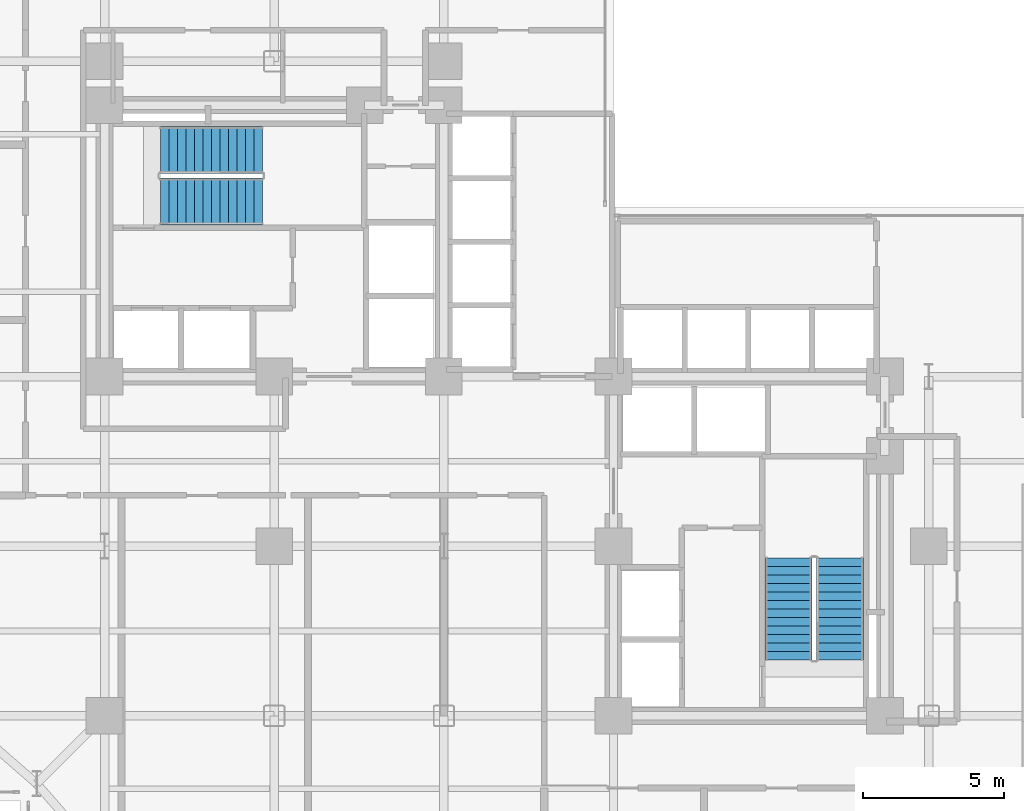
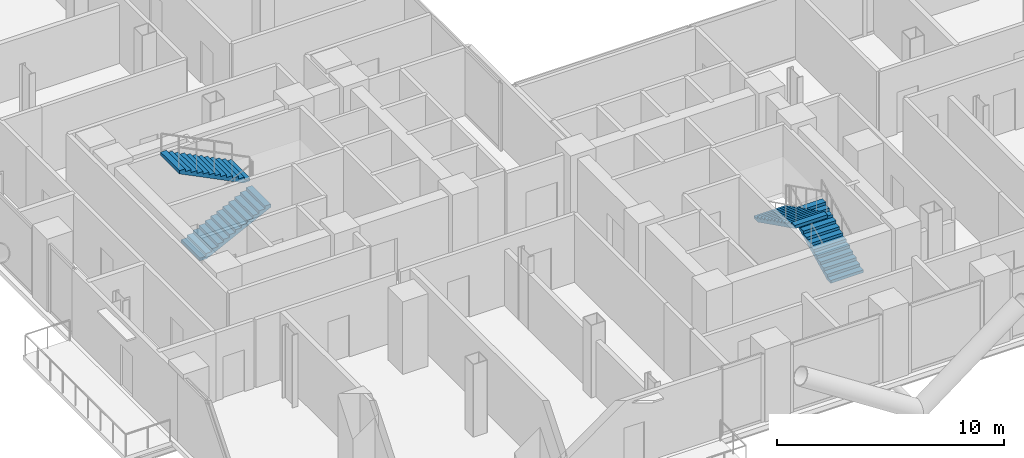
# One storey, part 23 of 25: 4 stair flights, 2 elements without a shape of their own.
"""IFC4 building model written with IfcOpenShell, lengths in metres."""

from ifc_helpers import new_model, si_unit, direction, frame, origin, place, context, subcontext, project, spatial, polyline, outline, extrude, material, type_object, element, aggregate, save


model = new_model("IFC4")

# Units and contexts
model_context = context("Model", 3, precision=1e-05, world=origin(), true_north=direction((0.0, 1.0)))
body_context = subcontext(model_context, "Body", "Model", "MODEL_VIEW")
ifc_project = project(units=[si_unit("LENGTHUNIT", "METRE"), si_unit("AREAUNIT", "SQUARE_METRE"), si_unit("VOLUMEUNIT", "CUBIC_METRE"), si_unit("PLANEANGLEUNIT", "RADIAN"), si_unit("MASSUNIT", "GRAM", prefix="KILO"), si_unit("THERMODYNAMICTEMPERATUREUNIT", "KELVIN"), si_unit("POWERUNIT", "WATT")], contexts=[model_context])

# Site, building, storey
site_placement = place(None, origin())
site = spatial("IfcSite", under=ifc_project, at=site_placement, CompositionType="ELEMENT")
building_placement = place(site_placement, origin())
building = spatial("IfcBuilding", under=site, at=building_placement, Name="Svarakhadi Broadcast Tower", CompositionType="ELEMENT")
storey_placement = place(building_placement, frame((0.0, 0.0, 79.199951171875)))
storey = spatial("IfcBuildingStorey", under=building, at=storey_placement, Name="L18", CompositionType="ELEMENT", Elevation=79.199951171875)

# Stair, stair flights
ifc_material = material(Name="Concrete C40/50 (IS 456 M50)", Category="concrete")
stair_type = type_object("IfcStairType", Name="Stair_Exit_Core", PredefinedType="HALF_TURN_STAIR", material=ifc_material)
stair_1_placement = place(storey_placement, origin())
stair_1 = element("IfcStair", 1, at=stair_1_placement, inside=storey, type_object=stair_type, Name="L18 West Core Protected Exit Stair ST-01", PredefinedType="HALF_TURN_STAIR")
stair_flight_type = type_object("IfcStairFlightType", Name="Flight_RC_1680", PredefinedType="STRAIGHT", material=ifc_material)
stair_flight_1_placement = place(storey_placement, frame((7.97998046875, 24.18994140625, 0.0), z_axis=(0.0, 0.0, 1.0), x_axis=(1.0, 0.0, 0.0)))
stair_flight_1 = element("IfcStairFlight", 2, at=stair_flight_1_placement, type_object=stair_flight_type, Name="ST-01 flight 1", NumberOfRisers=13, NumberOfTreads=12, PredefinedType="STRAIGHT", RiserHeight=0.15, TreadLength=0.3, context=body_context, shape_type="SweptSolid", body=[
    extrude(outline(polyline([(0.0, 0.0), (0.0, 0.14990234375), (0.300048828125, 0.14990234375), (0.300048828125, 0.300048828125), (0.60009765625, 0.300048828125), (0.60009765625, 0.449951171875), (0.89990234375, 0.449951171875), (0.89990234375, 0.60009765625), (1.199951171875, 0.60009765625), (1.199951171875, 0.75), (1.5, 0.75), (1.5, 0.89990234375), (1.800048828125, 0.89990234375), (1.800048828125, 1.050048828125), (2.10009765625, 1.050048828125), (2.10009765625, 1.199951171875), (2.39990234375, 1.199951171875), (2.39990234375, 1.35009765625), (2.699951171875, 1.35009765625), (2.699951171875, 1.5), (3.0, 1.5), (3.0, 1.64990234375), (3.300048828125, 1.64990234375), (3.300048828125, 1.800048828125), (3.60009765625, 1.800048828125), (3.60009765625, 1.949951171875), (3.60009765625, 1.63232421875), (0.335205078125, 0.0), (0.0, 0.0)])), frame((0.0, 0.830078125, 0.0), z_axis=(0.0, -1.0, 0.0), x_axis=(1.0, 0.0, 0.0)), (0.0, 0.0, 1.0), 1.659912109375),
])
stair_flight_2_placement = place(storey_placement, frame((11.580078125, 26.010009765625, 1.949951171875), z_axis=(0.0, 0.0, 1.0), x_axis=(-1.0, 0.0, 0.0)))
stair_flight_2 = element("IfcStairFlight", 3, at=stair_flight_2_placement, type_object=stair_flight_type, Name="ST-01 flight 2", NumberOfRisers=13, NumberOfTreads=12, PredefinedType="STRAIGHT", RiserHeight=0.15, TreadLength=0.3, context=body_context, shape_type="SweptSolid", body=[
    extrude(outline(polyline([(0.0, 0.0), (0.0, 0.14990234375), (0.300048828125, 0.14990234375), (0.300048828125, 0.300048828125), (0.60009765625, 0.300048828125), (0.60009765625, 0.449951171875), (0.89990234375, 0.449951171875), (0.89990234375, 0.60009765625), (1.199951171875, 0.60009765625), (1.199951171875, 0.75), (1.5, 0.75), (1.5, 0.89990234375), (1.800048828125, 0.89990234375), (1.800048828125, 1.050048828125), (2.10009765625, 1.050048828125), (2.10009765625, 1.199951171875), (2.39990234375, 1.199951171875), (2.39990234375, 1.35009765625), (2.699951171875, 1.35009765625), (2.699951171875, 1.5), (3.0, 1.5), (3.0, 1.64990234375), (3.300048828125, 1.64990234375), (3.300048828125, 1.800048828125), (3.60009765625, 1.800048828125), (3.60009765625, 1.949951171875), (3.60009765625, 1.63232421875), (0.335205078125, 0.0), (0.0, 0.0)])), frame((0.0, 0.830078125, 0.0), z_axis=(0.0, -1.0, 0.0), x_axis=(1.0, 0.0, 0.0)), (0.0, 0.0, 1.0), 1.659912109375),
])
aggregate(stair_1, [stair_flight_1, stair_flight_2])

stair_2_placement = place(storey_placement, origin())
stair_2 = element("IfcStair", 4, at=stair_2_placement, inside=storey, type_object=stair_type, Name="L18 East Core Protected Exit Stair ST-02", PredefinedType="HALF_TURN_STAIR")
stair_flight_3_placement = place(storey_placement, frame((32.010009765625, 7.97998046875, 0.0), z_axis=(0.0, 0.0, 1.0), x_axis=(0.0, 1.0, 0.0)))
stair_flight_3 = element("IfcStairFlight", 5, at=stair_flight_3_placement, type_object=stair_flight_type, Name="ST-02 flight 1", NumberOfRisers=13, NumberOfTreads=12, PredefinedType="STRAIGHT", RiserHeight=0.15, TreadLength=0.3, context=body_context, shape_type="SweptSolid", body=[
    extrude(outline(polyline([(0.0, 0.0), (0.0, 0.14990234375), (0.300048828125, 0.14990234375), (0.300048828125, 0.300048828125), (0.60009765625, 0.300048828125), (0.60009765625, 0.449951171875), (0.89990234375, 0.449951171875), (0.89990234375, 0.60009765625), (1.199951171875, 0.60009765625), (1.199951171875, 0.75), (1.5, 0.75), (1.5, 0.89990234375), (1.800048828125, 0.89990234375), (1.800048828125, 1.050048828125), (2.10009765625, 1.050048828125), (2.10009765625, 1.199951171875), (2.39990234375, 1.199951171875), (2.39990234375, 1.35009765625), (2.699951171875, 1.35009765625), (2.699951171875, 1.5), (3.0, 1.5), (3.0, 1.64990234375), (3.300048828125, 1.64990234375), (3.300048828125, 1.800048828125), (3.60009765625, 1.800048828125), (3.60009765625, 1.949951171875), (3.60009765625, 1.63232421875), (0.335205078125, 0.0), (0.0, 0.0)])), frame((0.0, 0.830078125, 0.0), z_axis=(0.0, -1.0, 0.0), x_axis=(1.0, 0.0, 0.0)), (0.0, 0.0, 1.0), 1.659912109375),
])
stair_flight_4_placement = place(storey_placement, frame((30.18994140625, 11.580078125, 1.949951171875), z_axis=(0.0, 0.0, 1.0), x_axis=(0.0, -1.0, 0.0)))
stair_flight_4 = element("IfcStairFlight", 6, at=stair_flight_4_placement, type_object=stair_flight_type, Name="ST-02 flight 2", NumberOfRisers=13, NumberOfTreads=12, PredefinedType="STRAIGHT", RiserHeight=0.15, TreadLength=0.3, context=body_context, shape_type="SweptSolid", body=[
    extrude(outline(polyline([(0.0, 0.0), (0.0, 0.14990234375), (0.300048828125, 0.14990234375), (0.300048828125, 0.300048828125), (0.60009765625, 0.300048828125), (0.60009765625, 0.449951171875), (0.89990234375, 0.449951171875), (0.89990234375, 0.60009765625), (1.199951171875, 0.60009765625), (1.199951171875, 0.75), (1.5, 0.75), (1.5, 0.89990234375), (1.800048828125, 0.89990234375), (1.800048828125, 1.050048828125), (2.10009765625, 1.050048828125), (2.10009765625, 1.199951171875), (2.39990234375, 1.199951171875), (2.39990234375, 1.35009765625), (2.699951171875, 1.35009765625), (2.699951171875, 1.5), (3.0, 1.5), (3.0, 1.64990234375), (3.300048828125, 1.64990234375), (3.300048828125, 1.800048828125), (3.60009765625, 1.800048828125), (3.60009765625, 1.949951171875), (3.60009765625, 1.63232421875), (0.335205078125, 0.0), (0.0, 0.0)])), frame((0.0, 0.830078125, 0.0), z_axis=(0.0, -1.0, 0.0), x_axis=(1.0, 0.0, 0.0)), (0.0, 0.0, 1.0), 1.659912109375),
])
aggregate(stair_2, [stair_flight_3, stair_flight_4])

save(model, "model.ifc")
